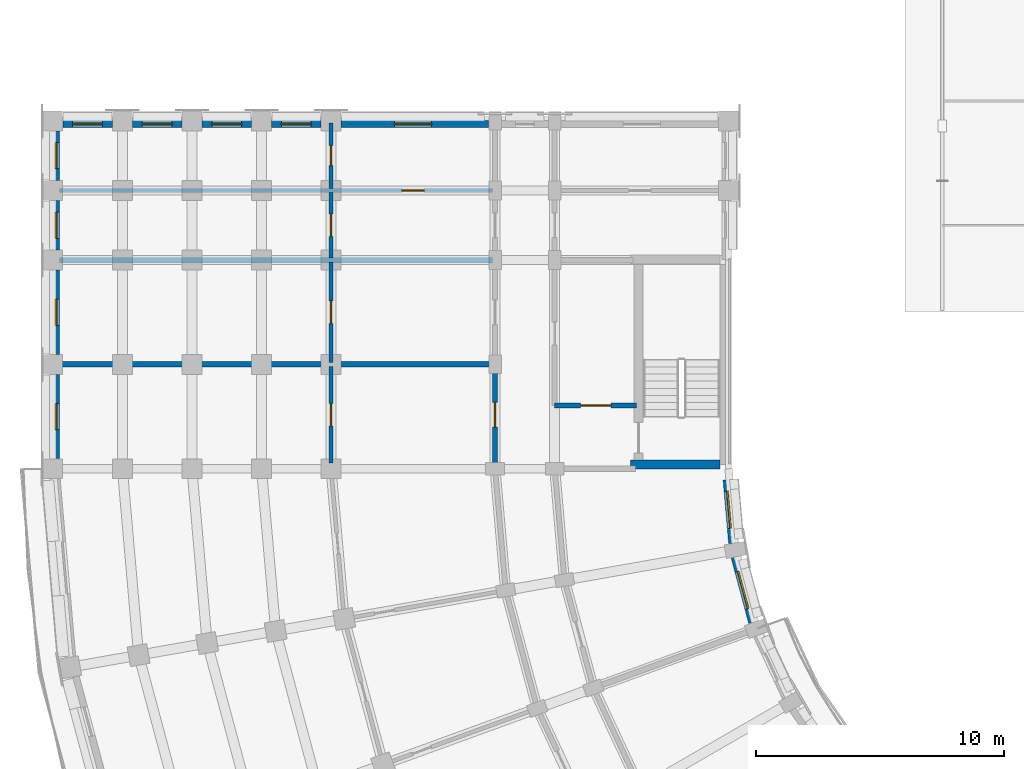
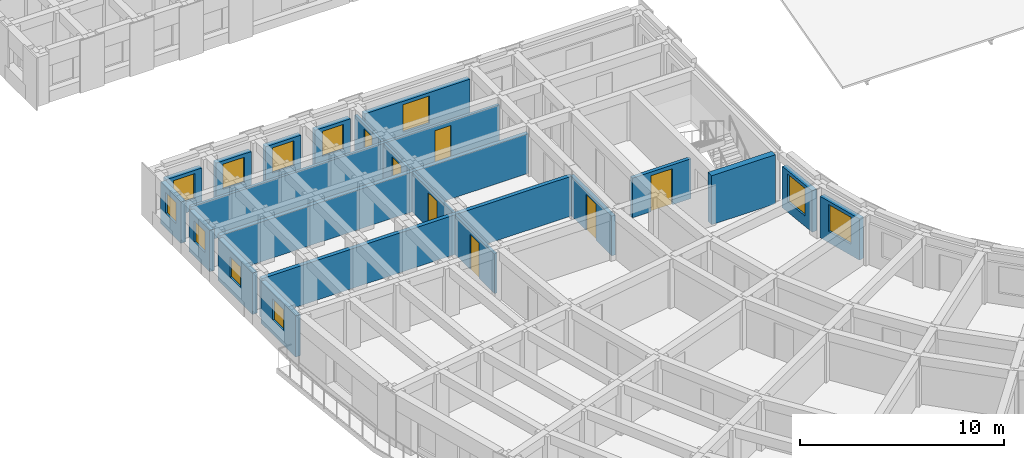
# One storey, part 39 of 76: 21 walls, 11 windows, 7 doors, 18 openings.
"""IFC4 building model written with IfcOpenShell, lengths in metres."""

from ifc_helpers import new_model, si_unit, direction, frame, frame_2d, origin, place, context, subcontext, project, spatial, rectangle, extrude, material, layer, layer_set, type_object, element, fill, save


model = new_model("IFC4")

# Units and contexts
model_context = context("Model", 3, precision=1e-05, world=origin(), true_north=direction((0.0, 1.0)))
body_context = subcontext(model_context, "Body", "Model", "MODEL_VIEW")
ifc_project = project(units=[si_unit("LENGTHUNIT", "METRE"), si_unit("AREAUNIT", "SQUARE_METRE"), si_unit("VOLUMEUNIT", "CUBIC_METRE"), si_unit("PLANEANGLEUNIT", "RADIAN"), si_unit("MASSUNIT", "GRAM", prefix="KILO")], contexts=[model_context])

# Site, building, storey
site_placement = place(None, origin())
site = spatial("IfcSite", under=ifc_project, at=site_placement, CompositionType="ELEMENT")
building_placement = place(site_placement, origin())
building = spatial("IfcBuilding", under=site, at=building_placement, Name="Kiranvali Square Residences", CompositionType="ELEMENT")
storey_placement = place(building_placement, frame((0.0, 0.0, 8.699951171875)))
storey = spatial("IfcBuildingStorey", under=building, at=storey_placement, Name="L02", CompositionType="ELEMENT", Elevation=8.699951171875)

# Wall, opening, door
ifc_material_1 = material(Name="Autoclaved aerated concrete blockwork masonry", Category="masonry")
ifc_layer_1 = layer(ifc_material_1, 0.199951171875)
ifc_layer_set_1 = layer_set([ifc_layer_1], Name="Autoclaved aerated concrete blockwork masonry")
wall_type_1 = type_object("IfcWallType", Name="WL-COR-200", PredefinedType="STANDARD", material=ifc_layer_set_1)
wall_1_placement = place(storey_placement, frame((25.699951171875, 50.75, 0.0), z_axis=(0.0, 0.0, 1.0), x_axis=(-1.0, 0.0, 0.0)))
wall_1 = element("IfcWall", 1, at=wall_1_placement, inside=storey, type_object=wall_type_1, Name="L02 architectural wall WL-L02-C-S3-V", PredefinedType="STANDARD", context=body_context, shape_type="SweptSolid", body=[
    extrude(rectangle(XDim=3.300048828125, YDim=0.199951171875, at=frame_2d((1.64990234375, 0.0))), origin(), (0.0, 0.0, 1.0), 2.3720703125),
])
opening_1_placement = place(wall_1_placement, frame((1.0400390625, 0.0, 0.0)))
opening_1 = element("IfcOpeningElement", 2, at=opening_1_placement, cuts=wall_1, Name="Opening FD-COR-60", PredefinedType="OPENING", context=body_context, shape_type="SweptSolid", body=[
    extrude(rectangle(XDim=1.219970703125, YDim=2.14990234375, at=frame_2d((0.60986328125, 1.074951171875))), frame((0.0, 0.10986328125, 0.0), z_axis=(0.0, -1.0, 0.0), x_axis=(1.0, 0.0, 0.0)), (0.0, 0.0, 1.0), 0.219970703125),
])
ifc_material_2 = material(Name="Fire-rated acoustic hardwood and mineral-core door assembly", Category="wood")
door_type_1 = type_object("IfcDoorType", Name="DR-FD60-1200", OperationType="NOTDEFINED", PredefinedType="DOOR", material=ifc_material_2)
door_1_placement = place(opening_1_placement, frame((1.219970703125, 0.0, 0.0), z_axis=(0.0, 0.0, 1.0), x_axis=(-1.0, 0.0, 0.0)))
door_1 = element("IfcDoor", 3, at=door_1_placement, inside=storey, type_object=door_type_1, Name="L02 door DR-L02-1854 (DR-FD60-1200)", OperationType="SINGLE_SWING_RIGHT", OverallHeight=2.14990234375, OverallWidth=1.219970703125, PredefinedType="DOOR", context=body_context, shape_type="SweptSolid", body=[
    extrude(rectangle(XDim=1.219970703125, YDim=2.14990234375, at=frame_2d((0.60986328125, 1.074951171875))), frame((0.0, 0.02490234375, 0.0), z_axis=(0.0, -1.0, 0.0), x_axis=(1.0, 0.0, 0.0)), (0.0, 0.0, 1.0), 0.050048828125),
])
fill(opening_1, door_1)

wall_2_placement = place(storey_placement, frame((20.0, 48.35009765625, 0.0), z_axis=(0.0, 0.0, 1.0), x_axis=(0.0, 1.0, 0.0)))
wall_2 = element("IfcWall", 4, at=wall_2_placement, inside=storey, type_object=wall_type_1, Name="L02 architectural wall WL-L02-C-A2CF-C0", PredefinedType="STANDARD", context=body_context, shape_type="SweptSolid", body=[
    extrude(rectangle(XDim=4.0498046875, YDim=0.199951171875, at=frame_2d((2.02490234375, 0.0))), origin(), (0.0, 0.0, 1.0), 2.3720703125),
])
opening_2_placement = place(wall_2_placement, frame((1.52490234375, 0.0, 0.0)))
opening_2 = element("IfcOpeningElement", 5, at=opening_2_placement, cuts=wall_2, Name="Opening FD-APT-60", PredefinedType="OPENING", context=body_context, shape_type="SweptSolid", body=[
    extrude(rectangle(XDim=1.0, YDim=2.14990234375, at=frame_2d((0.5, 1.074951171875))), frame((0.0, 0.10986328125, 0.0), z_axis=(0.0, -1.0, 0.0), x_axis=(1.0, 0.0, 0.0)), (0.0, 0.0, 1.0), 0.219970703125),
])
door_type_2 = type_object("IfcDoorType", Name="DR-APT-1000", OperationType="NOTDEFINED", PredefinedType="DOOR", material=ifc_material_2)
door_2_placement = place(opening_2_placement, origin())
door_2 = element("IfcDoor", 6, at=door_2_placement, inside=storey, type_object=door_type_2, Name="L02 door DR-L02-1895 (DR-APT-1000)", OperationType="SINGLE_SWING_LEFT", OverallHeight=2.14990234375, OverallWidth=1.0, PredefinedType="DOOR", context=body_context, shape_type="SweptSolid", body=[
    extrude(rectangle(XDim=1.0, YDim=2.14990234375, at=frame_2d((0.5, 1.074951171875))), frame((0.0, 0.02490234375, 0.0), z_axis=(0.0, -1.0, 0.0), x_axis=(1.0, 0.0, 0.0)), (0.0, 0.0, 1.0), 0.050048828125),
])
fill(opening_2, door_2)

# Walls
ifc_layer_2 = layer(ifc_material_1, 0.219970703125)
ifc_layer_set_2 = layer_set([ifc_layer_2], Name="Autoclaved aerated concrete blockwork masonry")
wall_type_2 = type_object("IfcWallType", Name="WL-DEM-220", PredefinedType="STANDARD", material=ifc_layer_set_2)
wall_3_placement = place(storey_placement, frame((19.949951171875, 52.39990234375, 0.0), z_axis=(0.0, 0.0, 1.0), x_axis=(-1.0, 0.0, 0.0)))
element("IfcWall", 7, at=wall_3_placement, inside=storey, type_object=wall_type_2, Name="L02 architectural wall WL-L02-C-A2CF-MID", PredefinedType="STANDARD", context=body_context, shape_type="SweptSolid", body=[
    extrude(rectangle(XDim=17.530029296875, YDim=0.219970703125, at=frame_2d((8.76513671875, 0.0))), origin(), (0.0, 0.0, 1.0), 2.3720703125),
])
wall_4_placement = place(storey_placement, frame((19.89990234375, 56.60009765625, 0.0), z_axis=(0.0, 0.0, 1.0), x_axis=(-1.0, 0.0, 0.0)))
element("IfcWall", 8, at=wall_4_placement, inside=storey, type_object=wall_type_2, Name="L02 architectural wall WL-L02-C-A2TO-0", PredefinedType="STANDARD", context=body_context, shape_type="SweptSolid", body=[
    extrude(rectangle(XDim=17.419921875, YDim=0.219970703125, at=frame_2d((8.7099609375, 0.0))), origin(), (0.0, 0.0, 1.0), 2.3720703125),
])

# Wall, opening, window
ifc_material_3 = material(Name="Breathable lime-rendered clay brick masonry", Category="masonry")
ifc_layer_3 = layer(ifc_material_3, 0.27490234375)
ifc_layer_set_3 = layer_set([ifc_layer_3], Name="Breathable lime-rendered clay brick masonry")
wall_type_3 = type_object("IfcWallType", Name="WL-EXT-275", PredefinedType="STANDARD", material=ifc_layer_set_3)
wall_5_placement = place(storey_placement, frame((30.340576171875, 42.0078125, 0.0), z_axis=(0.0, 0.0, 1.0), x_axis=(-0.258819907011, 0.965925595341, 0.0)))
wall_5 = element("IfcWall", 9, at=wall_5_placement, inside=storey, type_object=wall_type_3, Name="L02 exterior wall C-L02-GDN-07", PredefinedType="STANDARD", context=body_context, shape_type="SweptSolid", body=[
    extrude(rectangle(XDim=2.717529296875, YDim=0.27490234375, at=frame_2d((1.35888671875, 0.0))), origin(), (0.0, 0.0, 1.0), 2.47216796875),
])
opening_3_placement = place(wall_5_placement, frame((0.583740234375, 0.0, 0.672119140625)))
opening_3 = element("IfcOpeningElement", 10, at=opening_3_placement, cuts=wall_5, Name="Opening W-18", PredefinedType="OPENING", context=body_context, shape_type="SweptSolid", body=[
    extrude(rectangle(XDim=1.550048828125, YDim=1.60009765625, at=frame_2d((0.77490234375, 0.800048828125))), frame((0.0, 0.1474609375, 0.0), z_axis=(0.0, -1.0, 0.0), x_axis=(1.0, 0.0, 0.0)), (0.0, 0.0, 1.0), 0.294921875),
])
ifc_material_4 = material(Name="Solar-control low-e double glazing", Category="glass")
window_type_1 = type_object("IfcWindowType", Name="WIN-GDN-1550x1600", PartitioningType="DOUBLE_PANEL_VERTICAL", PredefinedType="WINDOW", material=ifc_material_4)
window_1_placement = place(opening_3_placement, origin())
window_1 = element("IfcWindow", 11, at=window_1_placement, inside=storey, type_object=window_type_1, Name="L02 recessed window C-L02-GDN-07", OverallHeight=1.60009765625, OverallWidth=1.550048828125, PartitioningType="DOUBLE_PANEL_VERTICAL", PredefinedType="WINDOW", context=body_context, shape_type="SweptSolid", body=[
    extrude(rectangle(XDim=1.550048828125, YDim=1.60009765625, at=frame_2d((0.77490234375, 0.800048828125))), frame((0.0, 0.030029296875, 0.0), z_axis=(0.0, -1.0, 0.0), x_axis=(1.0, 0.0, 0.0)), (0.0, 0.0, 1.0), 0.06005859375),
])
fill(opening_3, window_1)

wall_6_placement = place(storey_placement, frame((29.53662109375, 45.203125, 0.0), z_axis=(0.0, 0.0, 1.0), x_axis=(-0.08716102895, 0.996194235595, 0.0)))
wall_6 = element("IfcWall", 12, at=wall_6_placement, inside=storey, type_object=wall_type_3, Name="L02 exterior wall C-L02-GDN-08", PredefinedType="STANDARD", context=body_context, shape_type="SweptSolid", body=[
    extrude(rectangle(XDim=2.557373046875, YDim=0.27490234375, at=frame_2d((1.27880859375, 0.0))), origin(), (0.0, 0.0, 1.0), 2.47216796875),
])
opening_4_placement = place(wall_6_placement, frame((0.60888671875, 0.0, 0.6220703125)))
opening_4 = element("IfcOpeningElement", 13, at=opening_4_placement, cuts=wall_6, Name="Opening W-05", PredefinedType="OPENING", context=body_context, shape_type="SweptSolid", body=[
    extrude(rectangle(XDim=1.5, YDim=1.64990234375, at=frame_2d((0.75, 0.824951171875))), frame((0.0, 0.1474609375, 0.0), z_axis=(0.0, -1.0, 0.0), x_axis=(1.0, 0.0, 0.0)), (0.0, 0.0, 1.0), 0.294921875),
])
window_type_2 = type_object("IfcWindowType", Name="WIN-RES-1500x1650", PartitioningType="DOUBLE_PANEL_VERTICAL", PredefinedType="WINDOW", material=ifc_material_4)
window_2_placement = place(opening_4_placement, origin())
window_2 = element("IfcWindow", 14, at=window_2_placement, inside=storey, type_object=window_type_2, Name="L02 recessed window C-L02-GDN-08", OverallHeight=1.64990234375, OverallWidth=1.5, PartitioningType="DOUBLE_PANEL_VERTICAL", PredefinedType="WINDOW", context=body_context, shape_type="SweptSolid", body=[
    extrude(rectangle(XDim=1.5, YDim=1.64990234375, at=frame_2d((0.75, 0.824951171875))), frame((0.0, 0.030029296875, 0.0), z_axis=(0.0, -1.0, 0.0), x_axis=(1.0, 0.0, 0.0)), (0.0, 0.0, 1.0), 0.06005859375),
])
fill(opening_4, window_2)

wall_7_placement = place(storey_placement, frame((2.324951171875, 48.603515625, 0.0), z_axis=(0.0, 0.0, 1.0), x_axis=(0.0, 1.0, 0.0)))
wall_7 = element("IfcWall", 15, at=wall_7_placement, inside=storey, type_object=wall_type_3, Name="L02 exterior wall C-L02-A2O-0", PredefinedType="STANDARD", context=body_context, shape_type="SweptSolid", body=[
    extrude(rectangle(XDim=3.39306640625, YDim=0.27490234375, at=frame_2d((1.696533203125, 0.0))), origin(), (0.0, 0.0, 1.0), 2.47216796875),
])
opening_5_placement = place(wall_7_placement, frame((1.17138671875, 0.0, 0.8798828125)))
opening_5 = element("IfcOpeningElement", 16, at=opening_5_placement, cuts=wall_7, Name="Opening W-24", PredefinedType="OPENING", context=body_context, shape_type="SweptSolid", body=[
    extrude(rectangle(XDim=1.050048828125, YDim=1.25, at=frame_2d((0.52490234375, 0.625))), frame((0.0, 0.1474609375, 0.0), z_axis=(0.0, -1.0, 0.0), x_axis=(1.0, 0.0, 0.0)), (0.0, 0.0, 1.0), 0.294921875),
])
window_type_3 = type_object("IfcWindowType", Name="WIN-COR-1050x1250", PartitioningType="SINGLE_PANEL", PredefinedType="WINDOW", material=ifc_material_4)
window_3_placement = place(opening_5_placement, origin())
window_3 = element("IfcWindow", 17, at=window_3_placement, inside=storey, type_object=window_type_3, Name="L02 recessed window C-L02-A2O-0", OverallHeight=1.25, OverallWidth=1.050048828125, PartitioningType="SINGLE_PANEL", PredefinedType="WINDOW", context=body_context, shape_type="SweptSolid", body=[
    extrude(rectangle(XDim=1.050048828125, YDim=1.25, at=frame_2d((0.52490234375, 0.625))), frame((0.0, 0.030029296875, 0.0), z_axis=(0.0, -1.0, 0.0), x_axis=(1.0, 0.0, 0.0)), (0.0, 0.0, 1.0), 0.06005859375),
])
fill(opening_5, window_3)

wall_8_placement = place(storey_placement, frame((2.324951171875, 52.803466796875, 0.0), z_axis=(0.0, 0.0, 1.0), x_axis=(0.0, 1.0, 0.0)))
wall_8 = element("IfcWall", 18, at=wall_8_placement, inside=storey, type_object=wall_type_3, Name="L02 exterior wall C-L02-A2O-1", PredefinedType="STANDARD", context=body_context, shape_type="SweptSolid", body=[
    extrude(rectangle(XDim=3.39306640625, YDim=0.27490234375, at=frame_2d((1.696533203125, 0.0))), origin(), (0.0, 0.0, 1.0), 2.47216796875),
])
opening_6_placement = place(wall_8_placement, frame((1.17138671875, 0.0, 0.8798828125)))
opening_6 = element("IfcOpeningElement", 19, at=opening_6_placement, cuts=wall_8, Name="Opening W-24", PredefinedType="OPENING", context=body_context, shape_type="SweptSolid", body=[
    extrude(rectangle(XDim=1.050048828125, YDim=1.25, at=frame_2d((0.52490234375, 0.625))), frame((0.0, 0.1474609375, 0.0), z_axis=(0.0, -1.0, 0.0), x_axis=(1.0, 0.0, 0.0)), (0.0, 0.0, 1.0), 0.294921875),
])
window_4_placement = place(opening_6_placement, origin())
window_4 = element("IfcWindow", 20, at=window_4_placement, inside=storey, type_object=window_type_3, Name="L02 recessed window C-L02-A2O-1", OverallHeight=1.25, OverallWidth=1.050048828125, PartitioningType="SINGLE_PANEL", PredefinedType="WINDOW", context=body_context, shape_type="SweptSolid", body=[
    extrude(rectangle(XDim=1.050048828125, YDim=1.25, at=frame_2d((0.52490234375, 0.625))), frame((0.0, 0.030029296875, 0.0), z_axis=(0.0, -1.0, 0.0), x_axis=(1.0, 0.0, 0.0)), (0.0, 0.0, 1.0), 0.06005859375),
])
fill(opening_6, window_4)

wall_9_placement = place(storey_placement, frame((2.324951171875, 57.00341796875, 0.0), z_axis=(0.0, 0.0, 1.0), x_axis=(0.0, 1.0, 0.0)))
wall_9 = element("IfcWall", 21, at=wall_9_placement, inside=storey, type_object=wall_type_3, Name="L02 exterior wall C-L02-A2O-2", PredefinedType="STANDARD", context=body_context, shape_type="SweptSolid", body=[
    extrude(rectangle(XDim=1.9931640625, YDim=0.27490234375, at=frame_2d((0.99658203125, 0.0))), origin(), (0.0, 0.0, 1.0), 2.47216796875),
])
opening_7_placement = place(wall_9_placement, frame((0.471435546875, 0.0, 0.8798828125)))
opening_7 = element("IfcOpeningElement", 22, at=opening_7_placement, cuts=wall_9, Name="Opening W-24", PredefinedType="OPENING", context=body_context, shape_type="SweptSolid", body=[
    extrude(rectangle(XDim=1.050048828125, YDim=1.25, at=frame_2d((0.52490234375, 0.625))), frame((0.0, 0.1474609375, 0.0), z_axis=(0.0, -1.0, 0.0), x_axis=(1.0, 0.0, 0.0)), (0.0, 0.0, 1.0), 0.294921875),
])
window_5_placement = place(opening_7_placement, origin())
window_5 = element("IfcWindow", 23, at=window_5_placement, inside=storey, type_object=window_type_3, Name="L02 recessed window C-L02-A2O-2", OverallHeight=1.25, OverallWidth=1.050048828125, PartitioningType="SINGLE_PANEL", PredefinedType="WINDOW", context=body_context, shape_type="SweptSolid", body=[
    extrude(rectangle(XDim=1.050048828125, YDim=1.25, at=frame_2d((0.52490234375, 0.625))), frame((0.0, 0.030029296875, 0.0), z_axis=(0.0, -1.0, 0.0), x_axis=(1.0, 0.0, 0.0)), (0.0, 0.0, 1.0), 0.06005859375),
])
fill(opening_7, window_5)

wall_10_placement = place(storey_placement, frame((2.324951171875, 59.803466796875, 0.0), z_axis=(0.0, 0.0, 1.0), x_axis=(0.0, 1.0, 0.0)))
wall_10 = element("IfcWall", 24, at=wall_10_placement, inside=storey, type_object=wall_type_3, Name="L02 exterior wall C-L02-A2O-3", PredefinedType="STANDARD", context=body_context, shape_type="SweptSolid", body=[
    extrude(rectangle(XDim=1.992919921875, YDim=0.27490234375, at=frame_2d((0.99658203125, 0.0))), origin(), (0.0, 0.0, 1.0), 2.47216796875),
])
opening_8_placement = place(wall_10_placement, frame((0.471435546875, 0.0, 0.8798828125)))
opening_8 = element("IfcOpeningElement", 25, at=opening_8_placement, cuts=wall_10, Name="Opening W-24", PredefinedType="OPENING", context=body_context, shape_type="SweptSolid", body=[
    extrude(rectangle(XDim=1.050048828125, YDim=1.25, at=frame_2d((0.52490234375, 0.625))), frame((0.0, 0.1474609375, 0.0), z_axis=(0.0, -1.0, 0.0), x_axis=(1.0, 0.0, 0.0)), (0.0, 0.0, 1.0), 0.294921875),
])
window_6_placement = place(opening_8_placement, origin())
window_6 = element("IfcWindow", 26, at=window_6_placement, inside=storey, type_object=window_type_3, Name="L02 recessed window C-L02-A2O-3", OverallHeight=1.25, OverallWidth=1.050048828125, PartitioningType="SINGLE_PANEL", PredefinedType="WINDOW", context=body_context, shape_type="SweptSolid", body=[
    extrude(rectangle(XDim=1.050048828125, YDim=1.25, at=frame_2d((0.52490234375, 0.625))), frame((0.0, 0.030029296875, 0.0), z_axis=(0.0, -1.0, 0.0), x_axis=(1.0, 0.0, 0.0)), (0.0, 0.0, 1.0), 0.06005859375),
])
fill(opening_8, window_6)

wall_11_placement = place(storey_placement, frame((19.74658203125, 62.074951171875, 0.0), z_axis=(0.0, 0.0, 1.0), x_axis=(-1.0, 0.0, 0.0)))
wall_11 = element("IfcWall", 27, at=wall_11_placement, inside=storey, type_object=wall_type_3, Name="L02 exterior wall C-L02-A2END-2", PredefinedType="STANDARD", context=body_context, shape_type="SweptSolid", body=[
    extrude(rectangle(XDim=5.943115234375, YDim=0.27490234375, at=frame_2d((2.9716796875, 0.0))), origin(), (0.0, 0.0, 1.0), 2.3720703125),
])
opening_9_placement = place(wall_11_placement, frame((2.29638671875, 0.0, 0.52197265625)))
opening_9 = element("IfcOpeningElement", 28, at=opening_9_placement, cuts=wall_11, Name="Opening W-05", PredefinedType="OPENING", context=body_context, shape_type="SweptSolid", body=[
    extrude(rectangle(XDim=1.5, YDim=1.64990234375, at=frame_2d((0.75, 0.824951171875))), frame((0.0, 0.1474609375, 0.0), z_axis=(0.0, -1.0, 0.0), x_axis=(1.0, 0.0, 0.0)), (0.0, 0.0, 1.0), 0.294921875),
])
window_7_placement = place(opening_9_placement, origin())
window_7 = element("IfcWindow", 29, at=window_7_placement, inside=storey, type_object=window_type_2, Name="L02 recessed window C-L02-A2END-2", OverallHeight=1.64990234375, OverallWidth=1.5, PartitioningType="DOUBLE_PANEL_VERTICAL", PredefinedType="WINDOW", context=body_context, shape_type="SweptSolid", body=[
    extrude(rectangle(XDim=1.5, YDim=1.64990234375, at=frame_2d((0.75, 0.824951171875))), frame((0.0, 0.030029296875, 0.0), z_axis=(0.0, -1.0, 0.0), x_axis=(1.0, 0.0, 0.0)), (0.0, 0.0, 1.0), 0.06005859375),
])
fill(opening_9, window_7)

wall_12_placement = place(storey_placement, frame((12.99658203125, 62.074951171875, 0.0), z_axis=(0.0, 0.0, 1.0), x_axis=(-1.0, 0.0, 0.0)))
wall_12 = element("IfcWall", 30, at=wall_12_placement, inside=storey, type_object=wall_type_3, Name="L02 exterior wall C-L02-A2END-3", PredefinedType="STANDARD", context=body_context, shape_type="SweptSolid", body=[
    extrude(rectangle(XDim=1.9931640625, YDim=0.27490234375, at=frame_2d((0.99658203125, 0.0))), origin(), (0.0, 0.0, 1.0), 2.3720703125),
])
opening_10_placement = place(wall_12_placement, frame((0.396484375, 0.0, 0.672119140625)))
opening_10 = element("IfcOpeningElement", 31, at=opening_10_placement, cuts=wall_12, Name="Opening W-06", PredefinedType="OPENING", context=body_context, shape_type="SweptSolid", body=[
    extrude(rectangle(XDim=1.199951171875, YDim=1.5, at=frame_2d((0.60009765625, 0.75))), frame((0.0, 0.1474609375, 0.0), z_axis=(0.0, -1.0, 0.0), x_axis=(1.0, 0.0, 0.0)), (0.0, 0.0, 1.0), 0.294921875),
])
window_type_4 = type_object("IfcWindowType", Name="WIN-RES-1200x1500", PartitioningType="SINGLE_PANEL", PredefinedType="WINDOW", material=ifc_material_4)
window_8_placement = place(opening_10_placement, origin())
window_8 = element("IfcWindow", 32, at=window_8_placement, inside=storey, type_object=window_type_4, Name="L02 recessed window C-L02-A2END-3", OverallHeight=1.5, OverallWidth=1.199951171875, PartitioningType="SINGLE_PANEL", PredefinedType="WINDOW", context=body_context, shape_type="SweptSolid", body=[
    extrude(rectangle(XDim=1.199951171875, YDim=1.5, at=frame_2d((0.60009765625, 0.75))), frame((0.0, 0.030029296875, 0.0), z_axis=(0.0, -1.0, 0.0), x_axis=(1.0, 0.0, 0.0)), (0.0, 0.0, 1.0), 0.06005859375),
])
fill(opening_10, window_8)

wall_13_placement = place(storey_placement, frame((10.196533203125, 62.074951171875, 0.0), z_axis=(0.0, 0.0, 1.0), x_axis=(-1.0, 0.0, 0.0)))
wall_13 = element("IfcWall", 33, at=wall_13_placement, inside=storey, type_object=wall_type_3, Name="L02 exterior wall C-L02-A2END-4", PredefinedType="STANDARD", context=body_context, shape_type="SweptSolid", body=[
    extrude(rectangle(XDim=1.992919921875, YDim=0.27490234375, at=frame_2d((0.99658203125, 0.0))), origin(), (0.0, 0.0, 1.0), 2.3720703125),
])
opening_11_placement = place(wall_13_placement, frame((0.396484375, 0.0, 0.672119140625)))
opening_11 = element("IfcOpeningElement", 34, at=opening_11_placement, cuts=wall_13, Name="Opening W-06", PredefinedType="OPENING", context=body_context, shape_type="SweptSolid", body=[
    extrude(rectangle(XDim=1.199951171875, YDim=1.5, at=frame_2d((0.60009765625, 0.75))), frame((0.0, 0.1474609375, 0.0), z_axis=(0.0, -1.0, 0.0), x_axis=(1.0, 0.0, 0.0)), (0.0, 0.0, 1.0), 0.294921875),
])
window_9_placement = place(opening_11_placement, origin())
window_9 = element("IfcWindow", 35, at=window_9_placement, inside=storey, type_object=window_type_4, Name="L02 recessed window C-L02-A2END-4", OverallHeight=1.5, OverallWidth=1.199951171875, PartitioningType="SINGLE_PANEL", PredefinedType="WINDOW", context=body_context, shape_type="SweptSolid", body=[
    extrude(rectangle(XDim=1.199951171875, YDim=1.5, at=frame_2d((0.60009765625, 0.75))), frame((0.0, 0.030029296875, 0.0), z_axis=(0.0, -1.0, 0.0), x_axis=(1.0, 0.0, 0.0)), (0.0, 0.0, 1.0), 0.06005859375),
])
fill(opening_11, window_9)

wall_14_placement = place(storey_placement, frame((7.396484375, 62.074951171875, 0.0), z_axis=(0.0, 0.0, 1.0), x_axis=(-1.0, 0.0, 0.0)))
wall_14 = element("IfcWall", 36, at=wall_14_placement, inside=storey, type_object=wall_type_3, Name="L02 exterior wall C-L02-A2END-5", PredefinedType="STANDARD", context=body_context, shape_type="SweptSolid", body=[
    extrude(rectangle(XDim=1.992919921875, YDim=0.27490234375, at=frame_2d((0.99658203125, 0.0))), origin(), (0.0, 0.0, 1.0), 2.3720703125),
])
opening_12_placement = place(wall_14_placement, frame((0.396484375, 0.0, 0.672119140625)))
opening_12 = element("IfcOpeningElement", 37, at=opening_12_placement, cuts=wall_14, Name="Opening W-06", PredefinedType="OPENING", context=body_context, shape_type="SweptSolid", body=[
    extrude(rectangle(XDim=1.199951171875, YDim=1.5, at=frame_2d((0.60009765625, 0.75))), frame((0.0, 0.1474609375, 0.0), z_axis=(0.0, -1.0, 0.0), x_axis=(1.0, 0.0, 0.0)), (0.0, 0.0, 1.0), 0.294921875),
])
window_10_placement = place(opening_12_placement, origin())
window_10 = element("IfcWindow", 38, at=window_10_placement, inside=storey, type_object=window_type_4, Name="L02 recessed window C-L02-A2END-5", OverallHeight=1.5, OverallWidth=1.199951171875, PartitioningType="SINGLE_PANEL", PredefinedType="WINDOW", context=body_context, shape_type="SweptSolid", body=[
    extrude(rectangle(XDim=1.199951171875, YDim=1.5, at=frame_2d((0.60009765625, 0.75))), frame((0.0, 0.030029296875, 0.0), z_axis=(0.0, -1.0, 0.0), x_axis=(1.0, 0.0, 0.0)), (0.0, 0.0, 1.0), 0.06005859375),
])
fill(opening_12, window_10)

wall_15_placement = place(storey_placement, frame((4.596435546875, 62.074951171875, 0.0), z_axis=(0.0, 0.0, 1.0), x_axis=(-1.0, 0.0, 0.0)))
wall_15 = element("IfcWall", 39, at=wall_15_placement, inside=storey, type_object=wall_type_3, Name="L02 exterior wall C-L02-A2END-6", PredefinedType="STANDARD", context=body_context, shape_type="SweptSolid", body=[
    extrude(rectangle(XDim=1.992919921875, YDim=0.27490234375, at=frame_2d((0.99658203125, 0.0))), origin(), (0.0, 0.0, 1.0), 2.3720703125),
])
opening_13_placement = place(wall_15_placement, frame((0.396484375, 0.0, 0.672119140625)))
opening_13 = element("IfcOpeningElement", 40, at=opening_13_placement, cuts=wall_15, Name="Opening W-06", PredefinedType="OPENING", context=body_context, shape_type="SweptSolid", body=[
    extrude(rectangle(XDim=1.199951171875, YDim=1.5, at=frame_2d((0.60009765625, 0.75))), frame((0.0, 0.1474609375, 0.0), z_axis=(0.0, -1.0, 0.0), x_axis=(1.0, 0.0, 0.0)), (0.0, 0.0, 1.0), 0.294921875),
])
window_11_placement = place(opening_13_placement, origin())
window_11 = element("IfcWindow", 41, at=window_11_placement, inside=storey, type_object=window_type_4, Name="L02 recessed window C-L02-A2END-6", OverallHeight=1.5, OverallWidth=1.199951171875, PartitioningType="SINGLE_PANEL", PredefinedType="WINDOW", context=body_context, shape_type="SweptSolid", body=[
    extrude(rectangle(XDim=1.199951171875, YDim=1.5, at=frame_2d((0.60009765625, 0.75))), frame((0.0, 0.030029296875, 0.0), z_axis=(0.0, -1.0, 0.0), x_axis=(1.0, 0.0, 0.0)), (0.0, 0.0, 1.0), 0.06005859375),
])
fill(opening_13, window_11)

# Wall, opening, door
ifc_material_5 = material(Name="Acoustic gypsum board drylined partition", Category="gypsum")
ifc_layer_4 = layer(ifc_material_5, 0.14990234375)
ifc_layer_set_4 = layer_set([ifc_layer_4], Name="Acoustic gypsum board drylined partition")
wall_type_4 = type_object("IfcWallType", Name="WL-PRT-150", PredefinedType="PARTITIONING", material=ifc_layer_set_4)
wall_16_placement = place(storey_placement, frame((13.39990234375, 48.429931640625, 0.0), z_axis=(0.0, 0.0, 1.0), x_axis=(0.0, 1.0, 0.0)))
wall_16 = element("IfcWall", 42, at=wall_16_placement, inside=storey, type_object=wall_type_4, Name="L02 architectural wall WL-L02-C-A2CF-SP0", PredefinedType="PARTITIONING", context=body_context, shape_type="SweptSolid", body=[
    extrude(rectangle(XDim=3.89013671875, YDim=0.14990234375, at=frame_2d((1.945068359375, 0.0))), origin(), (0.0, 0.0, 1.0), 2.3720703125),
])
opening_14_placement = place(wall_16_placement, frame((1.4951171875, 0.0, 0.0)))
opening_14 = element("IfcOpeningElement", 43, at=opening_14_placement, cuts=wall_16, Name="Opening ID-1", PredefinedType="OPENING", context=body_context, shape_type="SweptSolid", body=[
    extrude(rectangle(XDim=0.89990234375, YDim=2.10009765625, at=frame_2d((0.449951171875, 1.050048828125))), frame((0.0, 0.0849609375, 0.0), z_axis=(0.0, -1.0, 0.0), x_axis=(1.0, 0.0, 0.0)), (0.0, 0.0, 1.0), 0.169921875),
])
ifc_material_6 = material(Name="Solid seasoned teak hardwood joinery", Category="wood")
door_type_3 = type_object("IfcDoorType", Name="DR-INT-900", OperationType="NOTDEFINED", PredefinedType="DOOR", material=ifc_material_6)
door_3_placement = place(opening_14_placement, frame((0.89990234375, 0.0, 0.0), z_axis=(0.0, 0.0, 1.0), x_axis=(-1.0, 0.0, 0.0)))
door_3 = element("IfcDoor", 44, at=door_3_placement, inside=storey, type_object=door_type_3, Name="L02 door DR-L02-1896 (DR-INT-900)", OperationType="SINGLE_SWING_RIGHT", OverallHeight=2.10009765625, OverallWidth=0.89990234375, PredefinedType="DOOR", context=body_context, shape_type="SweptSolid", body=[
    extrude(rectangle(XDim=0.89990234375, YDim=2.10009765625, at=frame_2d((0.449951171875, 1.050048828125))), frame((0.0, 0.02490234375, 0.0), z_axis=(0.0, -1.0, 0.0), x_axis=(1.0, 0.0, 0.0)), (0.0, 0.0, 1.0), 0.050048828125),
])
fill(opening_14, door_3)

wall_17_placement = place(storey_placement, frame((13.39990234375, 52.47998046875, 0.0), z_axis=(0.0, 0.0, 1.0), x_axis=(0.0, 1.0, 0.0)))
wall_17 = element("IfcWall", 45, at=wall_17_placement, inside=storey, type_object=wall_type_4, Name="L02 architectural wall WL-L02-C-A2CF-SP1", PredefinedType="PARTITIONING", context=body_context, shape_type="SweptSolid", body=[
    extrude(rectangle(XDim=4.0400390625, YDim=0.14990234375, at=frame_2d((2.02001953125, 0.0))), origin(), (0.0, 0.0, 1.0), 2.3720703125),
])
opening_15_placement = place(wall_17_placement, frame((1.570068359375, 0.0, 0.0)))
opening_15 = element("IfcOpeningElement", 46, at=opening_15_placement, cuts=wall_17, Name="Opening ID-1", PredefinedType="OPENING", context=body_context, shape_type="SweptSolid", body=[
    extrude(rectangle(XDim=0.89990234375, YDim=2.10009765625, at=frame_2d((0.449951171875, 1.050048828125))), frame((0.0, 0.0849609375, 0.0), z_axis=(0.0, -1.0, 0.0), x_axis=(1.0, 0.0, 0.0)), (0.0, 0.0, 1.0), 0.169921875),
])
door_4_placement = place(opening_15_placement, frame((0.89990234375, 0.0, 0.0), z_axis=(0.0, 0.0, 1.0), x_axis=(-1.0, 0.0, 0.0)))
door_4 = element("IfcDoor", 47, at=door_4_placement, inside=storey, type_object=door_type_3, Name="L02 door DR-L02-1898 (DR-INT-900)", OperationType="SINGLE_SWING_RIGHT", OverallHeight=2.10009765625, OverallWidth=0.89990234375, PredefinedType="DOOR", context=body_context, shape_type="SweptSolid", body=[
    extrude(rectangle(XDim=0.89990234375, YDim=2.10009765625, at=frame_2d((0.449951171875, 1.050048828125))), frame((0.0, 0.02490234375, 0.0), z_axis=(0.0, -1.0, 0.0), x_axis=(1.0, 0.0, 0.0)), (0.0, 0.0, 1.0), 0.050048828125),
])
fill(opening_15, door_4)

wall_18_placement = place(storey_placement, frame((19.89990234375, 59.39990234375, 0.0), z_axis=(0.0, 0.0, 1.0), x_axis=(-1.0, 0.0, 0.0)))
wall_18 = element("IfcWall", 48, at=wall_18_placement, inside=storey, type_object=wall_type_4, Name="L02 architectural wall WL-L02-C-A2TO-1", PredefinedType="PARTITIONING", context=body_context, shape_type="SweptSolid", body=[
    extrude(rectangle(XDim=17.419921875, YDim=0.14990234375, at=frame_2d((8.7099609375, 0.0))), origin(), (0.0, 0.0, 1.0), 2.3720703125),
])
opening_16_placement = place(wall_18_placement, frame((2.75, 0.0, 0.0)))
opening_16 = element("IfcOpeningElement", 49, at=opening_16_placement, cuts=wall_18, Name="Opening ID-1", PredefinedType="OPENING", context=body_context, shape_type="SweptSolid", body=[
    extrude(rectangle(XDim=0.89990234375, YDim=2.10009765625, at=frame_2d((0.449951171875, 1.050048828125))), frame((0.0, 0.0849609375, 0.0), z_axis=(0.0, -1.0, 0.0), x_axis=(1.0, 0.0, 0.0)), (0.0, 0.0, 1.0), 0.169921875),
])
door_5_placement = place(opening_16_placement, frame((0.89990234375, 0.0, 0.0), z_axis=(0.0, 0.0, 1.0), x_axis=(-1.0, 0.0, 0.0)))
door_5 = element("IfcDoor", 50, at=door_5_placement, inside=storey, type_object=door_type_3, Name="L02 door DR-L02-1904 (DR-INT-900)", OperationType="SINGLE_SWING_RIGHT", OverallHeight=2.10009765625, OverallWidth=0.89990234375, PredefinedType="DOOR", context=body_context, shape_type="SweptSolid", body=[
    extrude(rectangle(XDim=0.89990234375, YDim=2.10009765625, at=frame_2d((0.449951171875, 1.050048828125))), frame((0.0, 0.02490234375, 0.0), z_axis=(0.0, -1.0, 0.0), x_axis=(1.0, 0.0, 0.0)), (0.0, 0.0, 1.0), 0.050048828125),
])
fill(opening_16, door_5)

# Wall
ifc_material_7 = material(Name="Concrete M50 (50 MPa)", Category="concrete")
ifc_layer_5 = layer(ifc_material_7, 0.35009765625)
ifc_layer_set_5 = layer_set([ifc_layer_5], Name="Concrete M50 (50 MPa)")
wall_type_5 = type_object("IfcWallType", Name="WL-SHR-350", PredefinedType="SHEAR", material=ifc_layer_set_5)
wall_19_placement = place(storey_placement, frame((29.050048828125, 48.375, 0.0), z_axis=(0.0, 0.0, 1.0), x_axis=(-1.0, 0.0, 0.0)))
element("IfcWall", 51, at=wall_19_placement, inside=storey, type_object=wall_type_5, Name="Block C core shear wall SW-C3-NEAR-L02", PredefinedType="SHEAR", context=body_context, shape_type="SweptSolid", body=[
    extrude(rectangle(XDim=3.60009765625, YDim=0.35009765625, at=frame_2d((1.800048828125, 0.0))), origin(), (0.0, 0.0, 1.0), 2.929931640625),
])

# Wall, opening, door
ifc_layer_6 = layer(ifc_material_1, 0.14990234375)
ifc_layer_set_6 = layer_set([ifc_layer_6], Name="Autoclaved aerated concrete blockwork masonry")
wall_type_6 = type_object("IfcWallType", Name="WL-WET-150", PredefinedType="PLUMBINGWALL", material=ifc_layer_set_6)
wall_20_placement = place(storey_placement, frame((13.39990234375, 56.679931640625, 0.0), z_axis=(0.0, 0.0, 1.0), x_axis=(0.0, 1.0, 0.0)))
wall_20 = element("IfcWall", 52, at=wall_20_placement, inside=storey, type_object=wall_type_6, Name="L02 architectural wall WL-L02-C-A2SP-0", PredefinedType="PLUMBINGWALL", context=body_context, shape_type="SweptSolid", body=[
    extrude(rectangle(XDim=2.64013671875, YDim=0.14990234375, at=frame_2d((1.320068359375, 0.0))), origin(), (0.0, 0.0, 1.0), 2.3720703125),
])
opening_17_placement = place(wall_20_placement, frame((0.8701171875, 0.0, 0.0)))
opening_17 = element("IfcOpeningElement", 53, at=opening_17_placement, cuts=wall_20, Name="Opening ID-1", PredefinedType="OPENING", context=body_context, shape_type="SweptSolid", body=[
    extrude(rectangle(XDim=0.89990234375, YDim=2.10009765625, at=frame_2d((0.449951171875, 1.050048828125))), frame((0.0, 0.0849609375, 0.0), z_axis=(0.0, -1.0, 0.0), x_axis=(1.0, 0.0, 0.0)), (0.0, 0.0, 1.0), 0.169921875),
])
door_6_placement = place(opening_17_placement, frame((0.89990234375, 0.0, 0.0), z_axis=(0.0, 0.0, 1.0), x_axis=(-1.0, 0.0, 0.0)))
door_6 = element("IfcDoor", 54, at=door_6_placement, inside=storey, type_object=door_type_3, Name="L02 door DR-L02-1900 (DR-INT-900)", OperationType="SINGLE_SWING_RIGHT", OverallHeight=2.10009765625, OverallWidth=0.89990234375, PredefinedType="DOOR", context=body_context, shape_type="SweptSolid", body=[
    extrude(rectangle(XDim=0.89990234375, YDim=2.10009765625, at=frame_2d((0.449951171875, 1.050048828125))), frame((0.0, 0.02490234375, 0.0), z_axis=(0.0, -1.0, 0.0), x_axis=(1.0, 0.0, 0.0)), (0.0, 0.0, 1.0), 0.050048828125),
])
fill(opening_17, door_6)

wall_21_placement = place(storey_placement, frame((13.39990234375, 59.47998046875, 0.0), z_axis=(0.0, 0.0, 1.0), x_axis=(0.0, 1.0, 0.0)))
wall_21 = element("IfcWall", 55, at=wall_21_placement, inside=storey, type_object=wall_type_6, Name="L02 architectural wall WL-L02-C-A2SP-1", PredefinedType="PLUMBINGWALL", context=body_context, shape_type="SweptSolid", body=[
    extrude(rectangle(XDim=2.64013671875, YDim=0.14990234375, at=frame_2d((1.320068359375, 0.0))), origin(), (0.0, 0.0, 1.0), 2.3720703125),
])
opening_18_placement = place(wall_21_placement, frame((0.919921875, 0.0, 0.0)))
opening_18 = element("IfcOpeningElement", 56, at=opening_18_placement, cuts=wall_21, Name="Opening ID-WET", PredefinedType="OPENING", context=body_context, shape_type="SweptSolid", body=[
    extrude(rectangle(XDim=0.800048828125, YDim=2.10009765625, at=frame_2d((0.39990234375, 1.050048828125))), frame((0.0, 0.0849609375, 0.0), z_axis=(0.0, -1.0, 0.0), x_axis=(1.0, 0.0, 0.0)), (0.0, 0.0, 1.0), 0.169921875),
])
door_type_4 = type_object("IfcDoorType", Name="DR-WET-800", OperationType="NOTDEFINED", PredefinedType="DOOR", material=ifc_material_6)
door_7_placement = place(opening_18_placement, frame((0.800048828125, 0.0, 0.0), z_axis=(0.0, 0.0, 1.0), x_axis=(-1.0, 0.0, 0.0)))
door_7 = element("IfcDoor", 57, at=door_7_placement, inside=storey, type_object=door_type_4, Name="L02 door DR-L02-1902 (DR-WET-800)", OperationType="SINGLE_SWING_RIGHT", OverallHeight=2.10009765625, OverallWidth=0.800048828125, PredefinedType="DOOR", context=body_context, shape_type="SweptSolid", body=[
    extrude(rectangle(XDim=0.800048828125, YDim=2.10009765625, at=frame_2d((0.39990234375, 1.050048828125))), frame((0.0, 0.02490234375, 0.0), z_axis=(0.0, -1.0, 0.0), x_axis=(1.0, 0.0, 0.0)), (0.0, 0.0, 1.0), 0.050048828125),
])
fill(opening_18, door_7)

save(model, "model.ifc")
